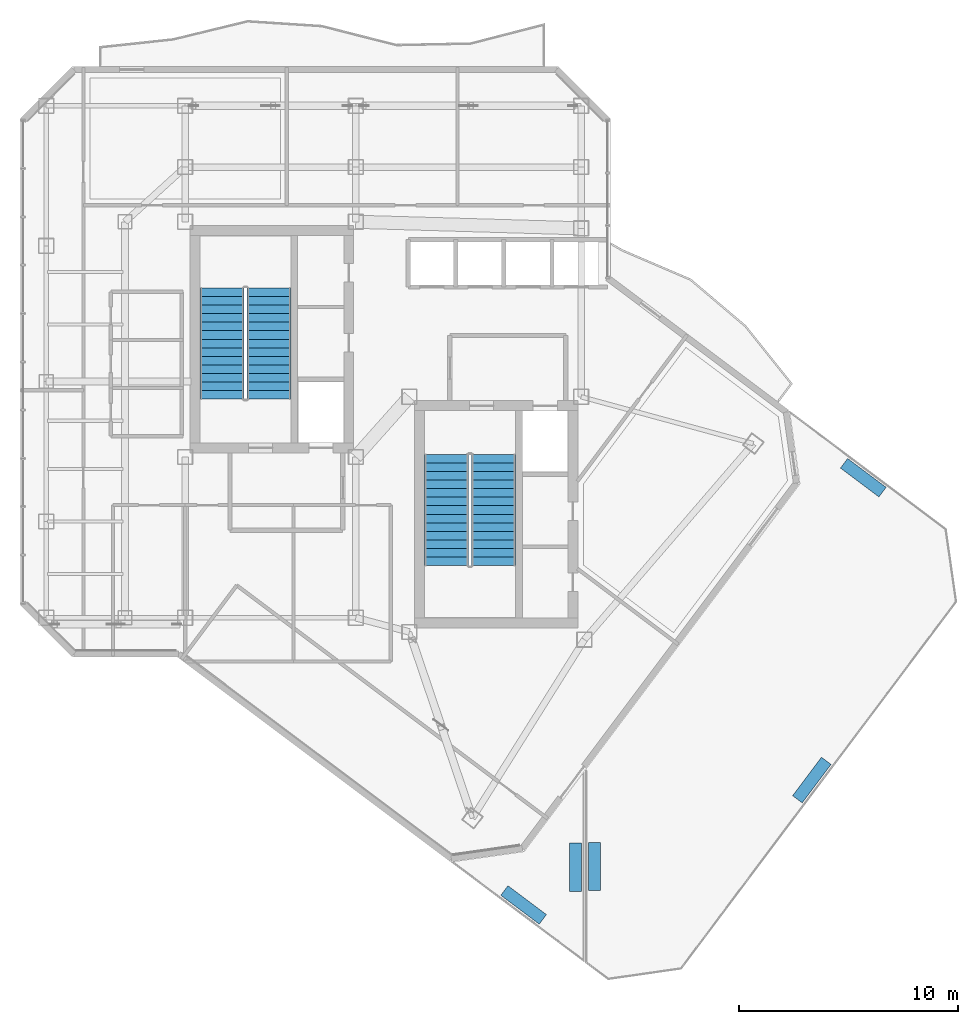
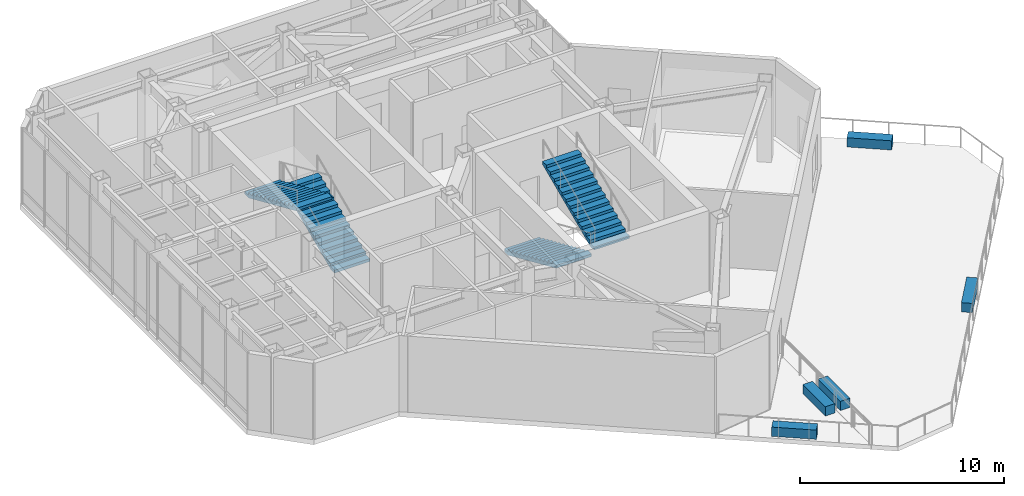
# One storey, part 18 of 21: 5 discrete accessories, 4 stair flights, 2 elements without a shape of their own.
"""IFC4 building model written with IfcOpenShell, lengths in metres."""

from ifc_helpers import new_model, si_unit, direction, frame, origin, origin_2d, place, context, subcontext, project, spatial, polyline, rectangle, outline, extrude, material, type_object, element, aggregate, save


model = new_model("IFC4")

# Units and contexts
model_context = context("Model", 3, precision=1e-05, world=origin(), true_north=direction((0.0, 1.0)))
body_context = subcontext(model_context, "Body", "Model", "MODEL_VIEW")
ifc_project = project(units=[si_unit("LENGTHUNIT", "METRE"), si_unit("AREAUNIT", "SQUARE_METRE"), si_unit("VOLUMEUNIT", "CUBIC_METRE"), si_unit("PLANEANGLEUNIT", "RADIAN"), si_unit("MASSUNIT", "GRAM", prefix="KILO")], contexts=[model_context])

# Site, building, storey
site_placement = place(None, origin())
site = spatial("IfcSite", under=ifc_project, at=site_placement, CompositionType="ELEMENT")
building_placement = place(site_placement, origin())
building = spatial("IfcBuilding", under=site, at=building_placement, Name="Hatsunagi Terrace Concourse", CompositionType="ELEMENT")
storey_placement = place(building_placement, frame((0.0, 0.0, 234.75)))
storey = spatial("IfcBuildingStorey", under=building, at=storey_placement, Name="L62", CompositionType="ELEMENT", Elevation=234.75)

# Stair, stair flights
ifc_material_1 = material(Name="Concrete Fc42", Category="concrete")
stair_type = type_object("IfcStairType", Name="DoglegExitStair_Tower2000_28R_171", PredefinedType="HALF_TURN_STAIR", material=ifc_material_1)
stair_1_placement = place(storey_placement, origin())
stair_1 = element("IfcStair", 1, at=stair_1_placement, inside=storey, type_object=stair_type, Name="L62 Core A Protected Exit Stair ST-A", PredefinedType="HALF_TURN_STAIR")
ifc_material_2 = material(Name="Concrete Fc42", Category="concrete")
stair_flight_type = type_object("IfcStairFlightType", Name="DoglegStairFlight_Tower2000_28R_171", PredefinedType="STRAIGHT", material=ifc_material_2)
stair_flight_1_placement = place(storey_placement, frame((29.3798828125, 35.199951171875, 0.0), z_axis=(0.0, 0.0, 1.0), x_axis=(0.0, 1.0, 0.0)))
stair_flight_1 = element("IfcStairFlight", 2, at=stair_flight_1_placement, type_object=stair_flight_type, Name="ST-A flight 1", NumberOfRisers=14, NumberOfTreads=13, PredefinedType="STRAIGHT", RiserHeight=0.171428571, TreadLength=0.39, context=body_context, shape_type="SweptSolid", body=[
    extrude(outline(polyline([(0.0, 0.0), (0.0, 0.17138671875), (0.389892578125, 0.17138671875), (0.389892578125, 0.3427734375), (0.780029296875, 0.3427734375), (0.780029296875, 0.514404296875), (1.169921875, 0.514404296875), (1.169921875, 0.685791015625), (1.56005859375, 0.685791015625), (1.56005859375, 0.857177734375), (1.949951171875, 0.857177734375), (1.949951171875, 1.028564453125), (2.340087890625, 1.028564453125), (2.340087890625, 1.199951171875), (2.72998046875, 1.199951171875), (2.72998046875, 1.371337890625), (3.1201171875, 1.371337890625), (3.1201171875, 1.54296875), (3.510009765625, 1.54296875), (3.510009765625, 1.71435546875), (3.89990234375, 1.71435546875), (3.89990234375, 1.8857421875), (4.2900390625, 1.8857421875), (4.2900390625, 2.05712890625), (4.679931640625, 2.05712890625), (4.679931640625, 2.228515625), (5.070068359375, 2.228515625), (5.070068359375, 2.39990234375), (5.070068359375, 2.06494140625), (0.37255859375, 0.0), (0.0, 0.0)])), frame((0.0, 1.0, 0.0), z_axis=(0.0, -1.0, 0.0), x_axis=(1.0, 0.0, 0.0)), (0.0, 0.0, 1.0), 2.0),
])
stair_flight_2_placement = place(storey_placement, frame((27.22998046875, 40.27001953125, 2.39990234375), z_axis=(0.0, 0.0, 1.0), x_axis=(0.0, -1.0, 0.0)))
stair_flight_2 = element("IfcStairFlight", 3, at=stair_flight_2_placement, type_object=stair_flight_type, Name="ST-A flight 2", NumberOfRisers=14, NumberOfTreads=13, PredefinedType="STRAIGHT", RiserHeight=0.171428571, TreadLength=0.39, context=body_context, shape_type="SweptSolid", body=[
    extrude(outline(polyline([(0.0, 0.0), (0.0, 0.17138671875), (0.389892578125, 0.17138671875), (0.389892578125, 0.3427734375), (0.780029296875, 0.3427734375), (0.780029296875, 0.514404296875), (1.169921875, 0.514404296875), (1.169921875, 0.685791015625), (1.56005859375, 0.685791015625), (1.56005859375, 0.857177734375), (1.949951171875, 0.857177734375), (1.949951171875, 1.028564453125), (2.340087890625, 1.028564453125), (2.340087890625, 1.199951171875), (2.72998046875, 1.199951171875), (2.72998046875, 1.371337890625), (3.1201171875, 1.371337890625), (3.1201171875, 1.54296875), (3.510009765625, 1.54296875), (3.510009765625, 1.71435546875), (3.89990234375, 1.71435546875), (3.89990234375, 1.8857421875), (4.2900390625, 1.8857421875), (4.2900390625, 2.05712890625), (4.679931640625, 2.05712890625), (4.679931640625, 2.228515625), (5.070068359375, 2.228515625), (5.070068359375, 2.39990234375), (5.070068359375, 2.06494140625), (0.37255859375, 0.0), (0.0, 0.0)])), frame((0.0, 1.0, 0.0), z_axis=(0.0, -1.0, 0.0), x_axis=(1.0, 0.0, 0.0)), (0.0, 0.0, 1.0), 2.0),
])
aggregate(stair_1, [stair_flight_1, stair_flight_2])

stair_2_placement = place(storey_placement, origin())
stair_2 = element("IfcStair", 4, at=stair_2_placement, inside=storey, type_object=stair_type, Name="L62 Core B Protected Exit Stair ST-B", PredefinedType="HALF_TURN_STAIR")
stair_flight_3_placement = place(storey_placement, frame((37.5, 32.659912109375, 0.0), z_axis=(0.0, 0.0, 1.0), x_axis=(0.0, -1.0, 0.0)))
stair_flight_3 = element("IfcStairFlight", 5, at=stair_flight_3_placement, type_object=stair_flight_type, Name="ST-B flight 1", NumberOfRisers=14, NumberOfTreads=13, PredefinedType="STRAIGHT", RiserHeight=0.171428571, TreadLength=0.39, context=body_context, shape_type="SweptSolid", body=[
    extrude(outline(polyline([(0.0, 0.0), (0.0, 0.17138671875), (0.389892578125, 0.17138671875), (0.389892578125, 0.3427734375), (0.780029296875, 0.3427734375), (0.780029296875, 0.514404296875), (1.169921875, 0.514404296875), (1.169921875, 0.685791015625), (1.56005859375, 0.685791015625), (1.56005859375, 0.857177734375), (1.949951171875, 0.857177734375), (1.949951171875, 1.028564453125), (2.340087890625, 1.028564453125), (2.340087890625, 1.199951171875), (2.72998046875, 1.199951171875), (2.72998046875, 1.371337890625), (3.1201171875, 1.371337890625), (3.1201171875, 1.54296875), (3.510009765625, 1.54296875), (3.510009765625, 1.71435546875), (3.89990234375, 1.71435546875), (3.89990234375, 1.8857421875), (4.2900390625, 1.8857421875), (4.2900390625, 2.05712890625), (4.679931640625, 2.05712890625), (4.679931640625, 2.228515625), (5.070068359375, 2.228515625), (5.070068359375, 2.39990234375), (5.070068359375, 2.06494140625), (0.37255859375, 0.0), (0.0, 0.0)])), frame((0.0, 1.0, 0.0), z_axis=(0.0, -1.0, 0.0), x_axis=(1.0, 0.0, 0.0)), (0.0, 0.0, 1.0), 2.0),
])
stair_flight_4_placement = place(storey_placement, frame((39.64990234375, 27.590087890625, 2.39990234375), z_axis=(0.0, 0.0, 1.0), x_axis=(0.0, 1.0, 0.0)))
stair_flight_4 = element("IfcStairFlight", 6, at=stair_flight_4_placement, type_object=stair_flight_type, Name="ST-B flight 2", NumberOfRisers=14, NumberOfTreads=13, PredefinedType="STRAIGHT", RiserHeight=0.171428571, TreadLength=0.39, context=body_context, shape_type="SweptSolid", body=[
    extrude(outline(polyline([(0.0, 0.0), (0.0, 0.17138671875), (0.389892578125, 0.17138671875), (0.389892578125, 0.3427734375), (0.780029296875, 0.3427734375), (0.780029296875, 0.514404296875), (1.169921875, 0.514404296875), (1.169921875, 0.685791015625), (1.56005859375, 0.685791015625), (1.56005859375, 0.857177734375), (1.949951171875, 0.857177734375), (1.949951171875, 1.028564453125), (2.340087890625, 1.028564453125), (2.340087890625, 1.199951171875), (2.72998046875, 1.199951171875), (2.72998046875, 1.371337890625), (3.1201171875, 1.371337890625), (3.1201171875, 1.54296875), (3.510009765625, 1.54296875), (3.510009765625, 1.71435546875), (3.89990234375, 1.71435546875), (3.89990234375, 1.8857421875), (4.2900390625, 1.8857421875), (4.2900390625, 2.05712890625), (4.679931640625, 2.05712890625), (4.679931640625, 2.228515625), (5.070068359375, 2.228515625), (5.070068359375, 2.39990234375), (5.070068359375, 2.06494140625), (0.37255859375, 0.0), (0.0, 0.0)])), frame((0.0, 1.0, 0.0), z_axis=(0.0, -1.0, 0.0), x_axis=(1.0, 0.0, 0.0)), (0.0, 0.0, 1.0), 2.0),
])
aggregate(stair_2, [stair_flight_3, stair_flight_4])

# Discrete accessories
ifc_material_3 = material(Name="Architectural Precast Terracotta Planter", Category="masonry")
discrete_accessory_type = type_object("IfcDiscreteAccessoryType", Name="SkyGardenPlanterEdge_450", PredefinedType="USERDEFINED", material=ifc_material_3)
for number, where, z_axis, x_axis, name in (
    (7, (43.385009765625, 13.7939453125, -0.0400390625), (0.0, 0.0, 1.0), (0.0, -1.0, 0.0), "Sky Garden Terrace Planter TER-L62-1-3"),
    (8, (41.02099609375, 12.072021484375, -0.0400390625), (0.0, 0.0, 1.0), (-0.799988456026, 0.600015391657, 0.0), "Sky Garden Terrace Planter TER-L62-1-4"),
    (9, (54.196044921875, 17.778076171875, -0.0400390625), (0.0, 0.0, 1.0), (-0.600001429133, -0.799998928149, 0.0), "Sky Garden Terrace Planter TER-L62-2-1"),
    (10, (44.2548828125, 13.825927734375, -0.0400390625), (0.0, 0.0, 1.0), (0.0, 1.0, 0.0), "Sky Garden Terrace Planter TER-L62-2-4"),
    (11, (56.549072265625, 31.60107421875, -0.0400390625), (0.0, 0.0, 1.0), (0.79997798366, -0.600029353998, 0.0), "Sky Garden Terrace Planter TER-L62-2-7"),
):
    element("IfcDiscreteAccessory", number, at=place(storey_placement, frame(where, z_axis=z_axis, x_axis=x_axis)), inside=storey, type_object=discrete_accessory_type, Name=name, ObjectType="PLANTER", PredefinedType="USERDEFINED", context=body_context, shape_type="SweptSolid", body=[
        extrude(rectangle(XDim=2.199951171875, YDim=0.550048828125, at=origin_2d()), origin(), (0.0, 0.0, 1.0), 0.550048828125),
    ])

save(model, "model.ifc")
